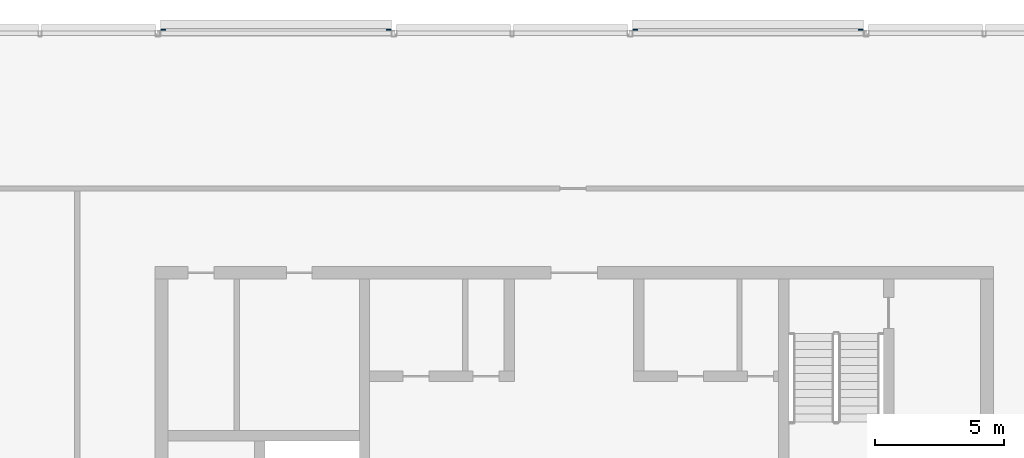
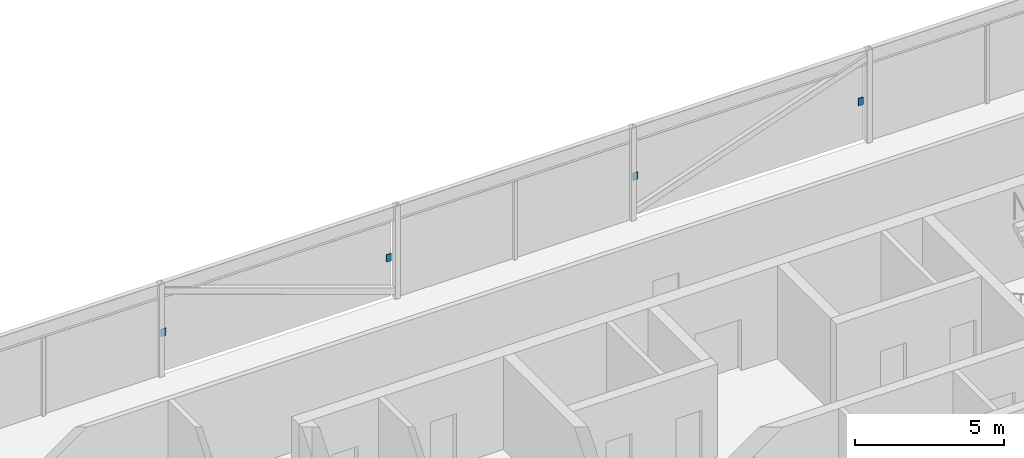
# One storey, part 23 of 28: 4 discrete accessories.
"""IFC4 building model written with IfcOpenShell, lengths in metres."""

from ifc_helpers import new_model, si_unit, direction, frame, origin, origin_2d, place, context, subcontext, project, spatial, rectangle, extrude, material, type_object, element, save


model = new_model("IFC4")

# Units and contexts
model_context = context("Model", 3, precision=1e-05, world=origin(), true_north=direction((0.0, 1.0)))
body_context = subcontext(model_context, "Body", "Model", "MODEL_VIEW")
ifc_project = project(units=[si_unit("LENGTHUNIT", "METRE"), si_unit("AREAUNIT", "SQUARE_METRE"), si_unit("VOLUMEUNIT", "CUBIC_METRE"), si_unit("PLANEANGLEUNIT", "RADIAN"), si_unit("MASSUNIT", "GRAM", prefix="KILO")], contexts=[model_context])

# Site, building, storey
site_placement = place(None, origin())
site = spatial("IfcSite", under=ifc_project, at=site_placement, CompositionType="ELEMENT")
building_placement = place(site_placement, origin())
building = spatial("IfcBuilding", under=site, at=building_placement, Name="Madar Terraces", CompositionType="ELEMENT")
storey_placement = place(building_placement, frame((0.0, 0.0, 310.10009765625)))
storey = spatial("IfcBuildingStorey", under=building, at=storey_placement, Name="L80", CompositionType="ELEMENT", Elevation=310.10009765625)

# Discrete accessories
ifc_material = material(Name="Steel, galvanised", Category="steel")
discrete_accessory_type = type_object("IfcDiscreteAccessoryType", Name="Louvre bank bracket", PredefinedType="BRACKET", material=ifc_material)
for number, where, z_axis, x_axis, name in (
    (1, (42.2783203125, 46.94189453125, 1.44873046875), (0.0, 0.0, 1.0), (-1.0, 0.0, 0.0), "Louvre bank bracket"),
    (2, (33.5615234375, 46.94189453125, 1.44873046875), (0.0, 0.0, 1.0), (-1.0, 0.0, 0.0), "Louvre bank bracket"),
    (3, (24.038330078125, 46.94189453125, 1.44873046875), (0.0, 0.0, 1.0), (-1.0, 0.0, 0.0), "Louvre bank bracket"),
    (4, (15.321533203125, 46.94189453125, 1.44873046875), (0.0, 0.0, 1.0), (-1.0, 0.0, 0.0), "Louvre bank bracket"),
):
    element("IfcDiscreteAccessory", number, at=place(storey_placement, frame(where, z_axis=z_axis, x_axis=x_axis)), inside=storey, type_object=discrete_accessory_type, Name=name, PredefinedType="BRACKET", context=body_context, shape_type="SweptSolid", body=[
        extrude(rectangle(XDim=0.199951171875, YDim=0.030029296875, at=origin_2d()), origin(), (0.0, 0.0, 1.0), 0.300048828125),
    ])

save(model, "model.ifc")
